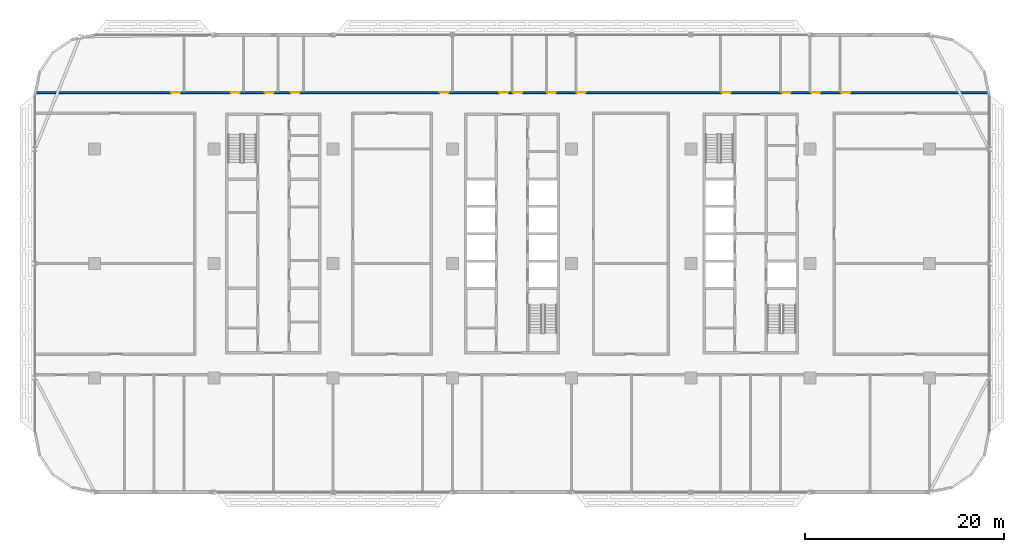
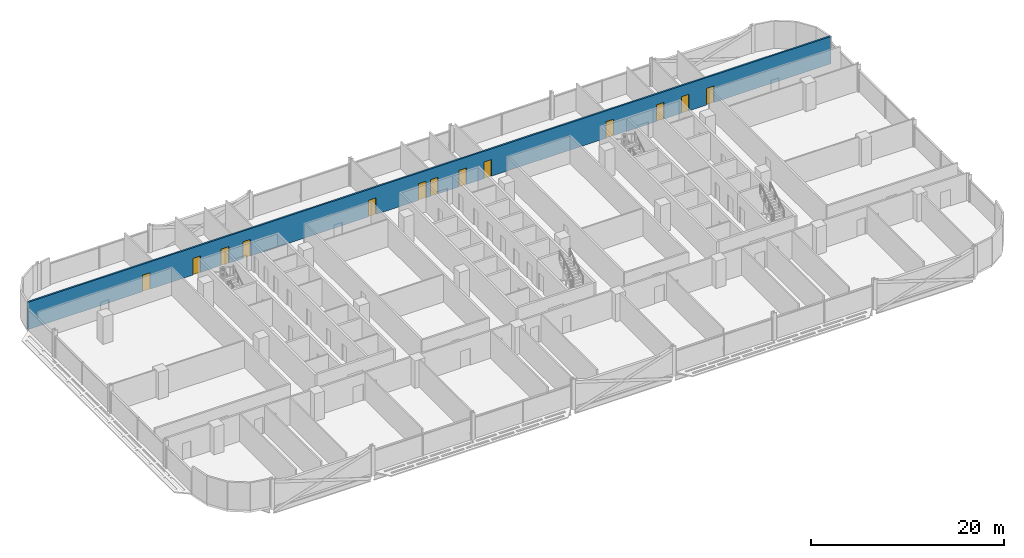
# One storey, part 14 of 27: 13 doors, 1 wall, 13 openings.
"""IFC4 building model written with IfcOpenShell, lengths in metres."""

from ifc_helpers import new_model, si_unit, direction, frame, frame_2d, origin, place, context, subcontext, project, spatial, rectangle, extrude, material, layer, layer_set, type_object, element, fill, save


model = new_model("IFC4")

# Units and contexts
model_context = context("Model", 3, precision=1e-05, world=origin(), true_north=direction((0.0, 1.0)))
body_context = subcontext(model_context, "Body", "Model", "MODEL_VIEW")
ifc_project = project(units=[si_unit("LENGTHUNIT", "METRE"), si_unit("AREAUNIT", "SQUARE_METRE"), si_unit("VOLUMEUNIT", "CUBIC_METRE"), si_unit("PLANEANGLEUNIT", "RADIAN"), si_unit("MASSUNIT", "GRAM", prefix="KILO")], contexts=[model_context])

# Site, building, storey
site_placement = place(None, origin())
site = spatial("IfcSite", under=ifc_project, at=site_placement, CompositionType="ELEMENT")
building_placement = place(site_placement, origin())
building = spatial("IfcBuilding", under=site, at=building_placement, Name="Mahtab Terrace Research Tower", CompositionType="ELEMENT")
storey_placement = place(building_placement, frame((0.0, 0.0, 178.199951171875)))
storey = spatial("IfcBuildingStorey", under=building, at=storey_placement, Name="L42", CompositionType="ELEMENT", Elevation=178.199951171875)

# Wall, openings, doors
ifc_material_1 = material(Name="Gypsum board corridor wall on steel studs", Category="steel")
ifc_layer = layer(ifc_material_1, 0.199951171875)
ifc_layer_set = layer_set([ifc_layer], Name="WALL CORRIDOR 200")
wall_type = type_object("IfcWallType", Name="WALL CORRIDOR 200", PredefinedType="PARTITIONING", material=ifc_layer_set)
wall_placement = place(storey_placement, frame((-47.97509765625, 17.199951171875, 0.0), z_axis=(0.0, 0.0, 1.0), x_axis=(1.0, 0.0, 0.0)))
wall = element("IfcWall", 1, at=wall_placement, inside=storey, type_object=wall_type, Name="L42-W027", PredefinedType="PARTITIONING", context=body_context, shape_type="SweptSolid", body=[
    extrude(rectangle(XDim=95.9501953125, YDim=0.199951171875, at=frame_2d((47.97509765625, 0.0))), origin(), (0.0, 0.0, 1.0), 3.4599609375),
])
opening_1_placement = place(wall_placement, frame((13.699951171875, 0.0, 0.0)))
opening_1 = element("IfcOpeningElement", 2, at=opening_1_placement, cuts=wall, Name="Opening L42-127", PredefinedType="OPENING", context=body_context, shape_type="SweptSolid", body=[
    extrude(rectangle(XDim=0.89990234375, YDim=2.10009765625, at=frame_2d((0.449951171875, 1.050048828125))), frame((0.0, 0.10986328125, 0.0), z_axis=(0.0, -1.0, 0.0), x_axis=(1.0, 0.0, 0.0)), (0.0, 0.0, 1.0), 0.219970703125),
])
opening_2_placement = place(wall_placement, frame((19.699951171875, 0.0, 0.0)))
opening_2 = element("IfcOpeningElement", 3, at=opening_2_placement, cuts=wall, Name="Opening L42-128", PredefinedType="OPENING", context=body_context, shape_type="SweptSolid", body=[
    extrude(rectangle(XDim=0.89990234375, YDim=2.10009765625, at=frame_2d((0.449951171875, 1.050048828125))), frame((0.0, 0.10986328125, 0.0), z_axis=(0.0, -1.0, 0.0), x_axis=(1.0, 0.0, 0.0)), (0.0, 0.0, 1.0), 0.219970703125),
])
opening_3_placement = place(wall_placement, frame((23.10009765625, 0.0, 0.0)))
opening_3 = element("IfcOpeningElement", 4, at=opening_3_placement, cuts=wall, Name="Opening L42-129", PredefinedType="OPENING", context=body_context, shape_type="SweptSolid", body=[
    extrude(rectangle(XDim=0.89990234375, YDim=2.10009765625, at=frame_2d((0.449951171875, 1.050048828125))), frame((0.0, 0.10986328125, 0.0), z_axis=(0.0, -1.0, 0.0), x_axis=(1.0, 0.0, 0.0)), (0.0, 0.0, 1.0), 0.219970703125),
])
opening_4_placement = place(wall_placement, frame((25.699951171875, 0.0, 0.0)))
opening_4 = element("IfcOpeningElement", 5, at=opening_4_placement, cuts=wall, Name="Opening L42-130", PredefinedType="OPENING", context=body_context, shape_type="SweptSolid", body=[
    extrude(rectangle(XDim=0.89990234375, YDim=2.10009765625, at=frame_2d((0.449951171875, 1.050048828125))), frame((0.0, 0.10986328125, 0.0), z_axis=(0.0, -1.0, 0.0), x_axis=(1.0, 0.0, 0.0)), (0.0, 0.0, 1.0), 0.219970703125),
])
opening_5_placement = place(wall_placement, frame((40.699951171875, 0.0, 0.0)))
opening_5 = element("IfcOpeningElement", 6, at=opening_5_placement, cuts=wall, Name="Opening L42-131", PredefinedType="OPENING", context=body_context, shape_type="SweptSolid", body=[
    extrude(rectangle(XDim=0.89990234375, YDim=2.10009765625, at=frame_2d((0.449951171875, 1.050048828125))), frame((0.0, 0.10986328125, 0.0), z_axis=(0.0, -1.0, 0.0), x_axis=(1.0, 0.0, 0.0)), (0.0, 0.0, 1.0), 0.219970703125),
])
opening_6_placement = place(wall_placement, frame((46.699951171875, 0.0, 0.0)))
opening_6 = element("IfcOpeningElement", 7, at=opening_6_placement, cuts=wall, Name="Opening L42-132", PredefinedType="OPENING", context=body_context, shape_type="SweptSolid", body=[
    extrude(rectangle(XDim=0.89990234375, YDim=2.10009765625, at=frame_2d((0.449951171875, 1.050048828125))), frame((0.0, 0.10986328125, 0.0), z_axis=(0.0, -1.0, 0.0), x_axis=(1.0, 0.0, 0.0)), (0.0, 0.0, 1.0), 0.219970703125),
])
opening_7_placement = place(wall_placement, frame((48.10009765625, 0.0, 0.0)))
opening_7 = element("IfcOpeningElement", 8, at=opening_7_placement, cuts=wall, Name="Opening L42-133", PredefinedType="OPENING", context=body_context, shape_type="SweptSolid", body=[
    extrude(rectangle(XDim=0.89990234375, YDim=2.10009765625, at=frame_2d((0.449951171875, 1.050048828125))), frame((0.0, 0.10986328125, 0.0), z_axis=(0.0, -1.0, 0.0), x_axis=(1.0, 0.0, 0.0)), (0.0, 0.0, 1.0), 0.219970703125),
])
opening_8_placement = place(wall_placement, frame((51.5, 0.0, 0.0)))
opening_8 = element("IfcOpeningElement", 9, at=opening_8_placement, cuts=wall, Name="Opening L42-134", PredefinedType="OPENING", context=body_context, shape_type="SweptSolid", body=[
    extrude(rectangle(XDim=0.89990234375, YDim=2.10009765625, at=frame_2d((0.449951171875, 1.050048828125))), frame((0.0, 0.10986328125, 0.0), z_axis=(0.0, -1.0, 0.0), x_axis=(1.0, 0.0, 0.0)), (0.0, 0.0, 1.0), 0.219970703125),
])
opening_9_placement = place(wall_placement, frame((54.5, 0.0, 0.0)))
opening_9 = element("IfcOpeningElement", 10, at=opening_9_placement, cuts=wall, Name="Opening L42-135", PredefinedType="OPENING", context=body_context, shape_type="SweptSolid", body=[
    extrude(rectangle(XDim=0.89990234375, YDim=2.10009765625, at=frame_2d((0.449951171875, 1.050048828125))), frame((0.0, 0.10986328125, 0.0), z_axis=(0.0, -1.0, 0.0), x_axis=(1.0, 0.0, 0.0)), (0.0, 0.0, 1.0), 0.219970703125),
])
opening_10_placement = place(wall_placement, frame((69.10009765625, 0.0, 0.0)))
opening_10 = element("IfcOpeningElement", 11, at=opening_10_placement, cuts=wall, Name="Opening L42-136", PredefinedType="OPENING", context=body_context, shape_type="SweptSolid", body=[
    extrude(rectangle(XDim=0.89990234375, YDim=2.10009765625, at=frame_2d((0.449951171875, 1.050048828125))), frame((0.0, 0.10986328125, 0.0), z_axis=(0.0, -1.0, 0.0), x_axis=(1.0, 0.0, 0.0)), (0.0, 0.0, 1.0), 0.219970703125),
])
opening_11_placement = place(wall_placement, frame((75.10009765625, 0.0, 0.0)))
opening_11 = element("IfcOpeningElement", 12, at=opening_11_placement, cuts=wall, Name="Opening L42-137", PredefinedType="OPENING", context=body_context, shape_type="SweptSolid", body=[
    extrude(rectangle(XDim=0.89990234375, YDim=2.10009765625, at=frame_2d((0.449951171875, 1.050048828125))), frame((0.0, 0.10986328125, 0.0), z_axis=(0.0, -1.0, 0.0), x_axis=(1.0, 0.0, 0.0)), (0.0, 0.0, 1.0), 0.219970703125),
])
opening_12_placement = place(wall_placement, frame((78.10009765625, 0.0, 0.0)))
opening_12 = element("IfcOpeningElement", 13, at=opening_12_placement, cuts=wall, Name="Opening L42-138", PredefinedType="OPENING", context=body_context, shape_type="SweptSolid", body=[
    extrude(rectangle(XDim=0.89990234375, YDim=2.10009765625, at=frame_2d((0.449951171875, 1.050048828125))), frame((0.0, 0.10986328125, 0.0), z_axis=(0.0, -1.0, 0.0), x_axis=(1.0, 0.0, 0.0)), (0.0, 0.0, 1.0), 0.219970703125),
])
opening_13_placement = place(wall_placement, frame((81.10009765625, 0.0, 0.0)))
opening_13 = element("IfcOpeningElement", 14, at=opening_13_placement, cuts=wall, Name="Opening L42-139", PredefinedType="OPENING", context=body_context, shape_type="SweptSolid", body=[
    extrude(rectangle(XDim=0.89990234375, YDim=2.10009765625, at=frame_2d((0.449951171875, 1.050048828125))), frame((0.0, 0.10986328125, 0.0), z_axis=(0.0, -1.0, 0.0), x_axis=(1.0, 0.0, 0.0)), (0.0, 0.0, 1.0), 0.219970703125),
])
ifc_material_2 = material(Name="Timber door leaf in steel frame", Category="steel")
door_type = type_object("IfcDoorType", Name="DOOR 0900X2100 FD30S", OperationType="SINGLE_SWING_LEFT", PredefinedType="DOOR", material=ifc_material_2)
door_1_placement = place(opening_1_placement, origin())
door_1 = element("IfcDoor", 15, at=door_1_placement, inside=storey, type_object=door_type, Name="Door L42-127", OperationType="SINGLE_SWING_LEFT", OverallHeight=2.10009765625, OverallWidth=0.89990234375, PredefinedType="DOOR", context=body_context, shape_type="SweptSolid", body=[
    extrude(rectangle(XDim=0.89990234375, YDim=2.10009765625, at=frame_2d((0.449951171875, 1.050048828125))), frame((0.0, 0.02490234375, 0.0), z_axis=(0.0, -1.0, 0.0), x_axis=(1.0, 0.0, 0.0)), (0.0, 0.0, 1.0), 0.050048828125),
])
fill(opening_1, door_1)
door_2_placement = place(opening_2_placement, origin())
door_2 = element("IfcDoor", 16, at=door_2_placement, inside=storey, type_object=door_type, Name="Door L42-128", OperationType="SINGLE_SWING_LEFT", OverallHeight=2.10009765625, OverallWidth=0.89990234375, PredefinedType="DOOR", context=body_context, shape_type="SweptSolid", body=[
    extrude(rectangle(XDim=0.89990234375, YDim=2.10009765625, at=frame_2d((0.449951171875, 1.050048828125))), frame((0.0, 0.02490234375, 0.0), z_axis=(0.0, -1.0, 0.0), x_axis=(1.0, 0.0, 0.0)), (0.0, 0.0, 1.0), 0.050048828125),
])
fill(opening_2, door_2)
door_3_placement = place(opening_3_placement, origin())
door_3 = element("IfcDoor", 17, at=door_3_placement, inside=storey, type_object=door_type, Name="Door L42-129", OperationType="SINGLE_SWING_LEFT", OverallHeight=2.10009765625, OverallWidth=0.89990234375, PredefinedType="DOOR", context=body_context, shape_type="SweptSolid", body=[
    extrude(rectangle(XDim=0.89990234375, YDim=2.10009765625, at=frame_2d((0.449951171875, 1.050048828125))), frame((0.0, 0.02490234375, 0.0), z_axis=(0.0, -1.0, 0.0), x_axis=(1.0, 0.0, 0.0)), (0.0, 0.0, 1.0), 0.050048828125),
])
fill(opening_3, door_3)
door_4_placement = place(opening_4_placement, origin())
door_4 = element("IfcDoor", 18, at=door_4_placement, inside=storey, type_object=door_type, Name="Door L42-130", OperationType="SINGLE_SWING_LEFT", OverallHeight=2.10009765625, OverallWidth=0.89990234375, PredefinedType="DOOR", context=body_context, shape_type="SweptSolid", body=[
    extrude(rectangle(XDim=0.89990234375, YDim=2.10009765625, at=frame_2d((0.449951171875, 1.050048828125))), frame((0.0, 0.02490234375, 0.0), z_axis=(0.0, -1.0, 0.0), x_axis=(1.0, 0.0, 0.0)), (0.0, 0.0, 1.0), 0.050048828125),
])
fill(opening_4, door_4)
door_5_placement = place(opening_5_placement, origin())
door_5 = element("IfcDoor", 19, at=door_5_placement, inside=storey, type_object=door_type, Name="Door L42-131", OperationType="SINGLE_SWING_LEFT", OverallHeight=2.10009765625, OverallWidth=0.89990234375, PredefinedType="DOOR", context=body_context, shape_type="SweptSolid", body=[
    extrude(rectangle(XDim=0.89990234375, YDim=2.10009765625, at=frame_2d((0.449951171875, 1.050048828125))), frame((0.0, 0.02490234375, 0.0), z_axis=(0.0, -1.0, 0.0), x_axis=(1.0, 0.0, 0.0)), (0.0, 0.0, 1.0), 0.050048828125),
])
fill(opening_5, door_5)
door_6_placement = place(opening_6_placement, origin())
door_6 = element("IfcDoor", 20, at=door_6_placement, inside=storey, type_object=door_type, Name="Door L42-132", OperationType="SINGLE_SWING_LEFT", OverallHeight=2.10009765625, OverallWidth=0.89990234375, PredefinedType="DOOR", context=body_context, shape_type="SweptSolid", body=[
    extrude(rectangle(XDim=0.89990234375, YDim=2.10009765625, at=frame_2d((0.449951171875, 1.050048828125))), frame((0.0, 0.02490234375, 0.0), z_axis=(0.0, -1.0, 0.0), x_axis=(1.0, 0.0, 0.0)), (0.0, 0.0, 1.0), 0.050048828125),
])
fill(opening_6, door_6)
door_7_placement = place(opening_7_placement, origin())
door_7 = element("IfcDoor", 21, at=door_7_placement, inside=storey, type_object=door_type, Name="Door L42-133", OperationType="SINGLE_SWING_RIGHT", OverallHeight=2.10009765625, OverallWidth=0.89990234375, PredefinedType="DOOR", context=body_context, shape_type="SweptSolid", body=[
    extrude(rectangle(XDim=0.89990234375, YDim=2.10009765625, at=frame_2d((0.449951171875, 1.050048828125))), frame((0.0, 0.02490234375, 0.0), z_axis=(0.0, -1.0, 0.0), x_axis=(1.0, 0.0, 0.0)), (0.0, 0.0, 1.0), 0.050048828125),
])
fill(opening_7, door_7)
door_8_placement = place(opening_8_placement, origin())
door_8 = element("IfcDoor", 22, at=door_8_placement, inside=storey, type_object=door_type, Name="Door L42-134", OperationType="SINGLE_SWING_RIGHT", OverallHeight=2.10009765625, OverallWidth=0.89990234375, PredefinedType="DOOR", context=body_context, shape_type="SweptSolid", body=[
    extrude(rectangle(XDim=0.89990234375, YDim=2.10009765625, at=frame_2d((0.449951171875, 1.050048828125))), frame((0.0, 0.02490234375, 0.0), z_axis=(0.0, -1.0, 0.0), x_axis=(1.0, 0.0, 0.0)), (0.0, 0.0, 1.0), 0.050048828125),
])
fill(opening_8, door_8)
door_9_placement = place(opening_9_placement, origin())
door_9 = element("IfcDoor", 23, at=door_9_placement, inside=storey, type_object=door_type, Name="Door L42-135", OperationType="SINGLE_SWING_RIGHT", OverallHeight=2.10009765625, OverallWidth=0.89990234375, PredefinedType="DOOR", context=body_context, shape_type="SweptSolid", body=[
    extrude(rectangle(XDim=0.89990234375, YDim=2.10009765625, at=frame_2d((0.449951171875, 1.050048828125))), frame((0.0, 0.02490234375, 0.0), z_axis=(0.0, -1.0, 0.0), x_axis=(1.0, 0.0, 0.0)), (0.0, 0.0, 1.0), 0.050048828125),
])
fill(opening_9, door_9)
door_10_placement = place(opening_10_placement, origin())
door_10 = element("IfcDoor", 24, at=door_10_placement, inside=storey, type_object=door_type, Name="Door L42-136", OperationType="SINGLE_SWING_RIGHT", OverallHeight=2.10009765625, OverallWidth=0.89990234375, PredefinedType="DOOR", context=body_context, shape_type="SweptSolid", body=[
    extrude(rectangle(XDim=0.89990234375, YDim=2.10009765625, at=frame_2d((0.449951171875, 1.050048828125))), frame((0.0, 0.02490234375, 0.0), z_axis=(0.0, -1.0, 0.0), x_axis=(1.0, 0.0, 0.0)), (0.0, 0.0, 1.0), 0.050048828125),
])
fill(opening_10, door_10)
door_11_placement = place(opening_11_placement, origin())
door_11 = element("IfcDoor", 25, at=door_11_placement, inside=storey, type_object=door_type, Name="Door L42-137", OperationType="SINGLE_SWING_RIGHT", OverallHeight=2.10009765625, OverallWidth=0.89990234375, PredefinedType="DOOR", context=body_context, shape_type="SweptSolid", body=[
    extrude(rectangle(XDim=0.89990234375, YDim=2.10009765625, at=frame_2d((0.449951171875, 1.050048828125))), frame((0.0, 0.02490234375, 0.0), z_axis=(0.0, -1.0, 0.0), x_axis=(1.0, 0.0, 0.0)), (0.0, 0.0, 1.0), 0.050048828125),
])
fill(opening_11, door_11)
door_12_placement = place(opening_12_placement, origin())
door_12 = element("IfcDoor", 26, at=door_12_placement, inside=storey, type_object=door_type, Name="Door L42-138", OperationType="SINGLE_SWING_RIGHT", OverallHeight=2.10009765625, OverallWidth=0.89990234375, PredefinedType="DOOR", context=body_context, shape_type="SweptSolid", body=[
    extrude(rectangle(XDim=0.89990234375, YDim=2.10009765625, at=frame_2d((0.449951171875, 1.050048828125))), frame((0.0, 0.02490234375, 0.0), z_axis=(0.0, -1.0, 0.0), x_axis=(1.0, 0.0, 0.0)), (0.0, 0.0, 1.0), 0.050048828125),
])
fill(opening_12, door_12)
door_13_placement = place(opening_13_placement, origin())
door_13 = element("IfcDoor", 27, at=door_13_placement, inside=storey, type_object=door_type, Name="Door L42-139", OperationType="SINGLE_SWING_RIGHT", OverallHeight=2.10009765625, OverallWidth=0.89990234375, PredefinedType="DOOR", context=body_context, shape_type="SweptSolid", body=[
    extrude(rectangle(XDim=0.89990234375, YDim=2.10009765625, at=frame_2d((0.449951171875, 1.050048828125))), frame((0.0, 0.02490234375, 0.0), z_axis=(0.0, -1.0, 0.0), x_axis=(1.0, 0.0, 0.0)), (0.0, 0.0, 1.0), 0.050048828125),
])
fill(opening_13, door_13)

save(model, "model.ifc")
